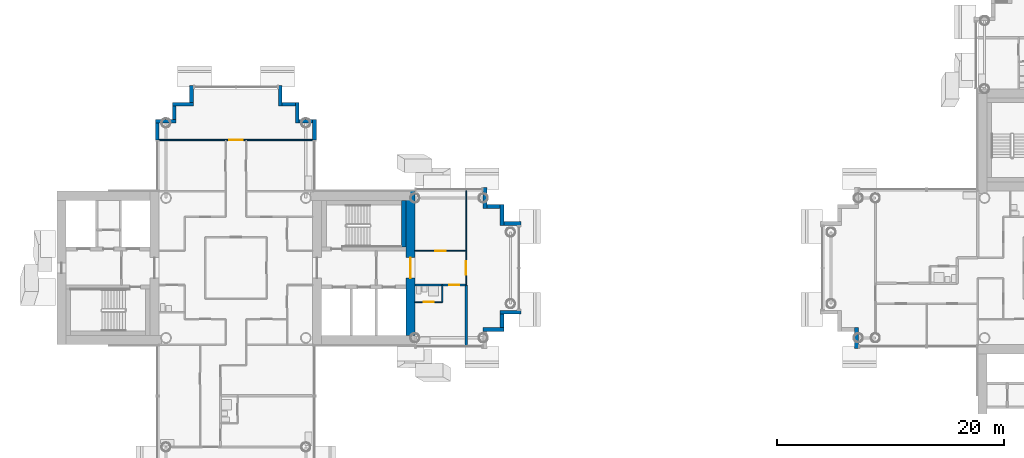
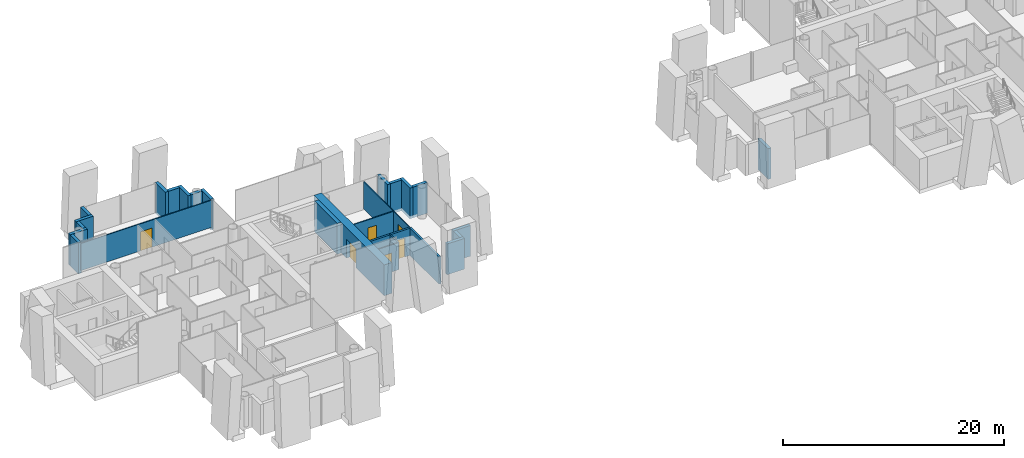
# One storey, part 8 of 18: 27 walls, 6 doors, 6 openings.
"""IFC4 building model written with IfcOpenShell, lengths in metres."""

from ifc_helpers import new_model, si_unit, direction, frame, frame_2d, origin, place, context, subcontext, project, spatial, rectangle, extrude, material, layer, layer_set, type_object, element, fill, save


model = new_model("IFC4")

# Units and contexts
model_context = context("Model", 3, precision=1e-05, world=origin(), true_north=direction((0.0, 1.0)))
body_context = subcontext(model_context, "Body", "Model", "MODEL_VIEW")
ifc_project = project(units=[si_unit("LENGTHUNIT", "METRE"), si_unit("AREAUNIT", "SQUARE_METRE"), si_unit("VOLUMEUNIT", "CUBIC_METRE"), si_unit("PLANEANGLEUNIT", "RADIAN"), si_unit("MASSUNIT", "GRAM", prefix="KILO")], contexts=[model_context])

# Site, building, storey
site_placement = place(None, origin())
site = spatial("IfcSite", under=ifc_project, at=site_placement, CompositionType="ELEMENT")
building_placement = place(site_placement, origin())
building = spatial("IfcBuilding", under=site, at=building_placement, Name="Ipe Terrace Towers", CompositionType="ELEMENT")
storey_placement = place(building_placement, frame((0.0, 0.0, 143.89990234375)))
storey = spatial("IfcBuildingStorey", under=building, at=storey_placement, Name="L39", CompositionType="ELEMENT", Elevation=143.89990234375)

# Walls
ifc_material_1 = material(Name="Concrete C40/50 with buff precast cladding", Category="concrete")
ifc_layer_1 = layer(ifc_material_1, 0.320068359375)
ifc_layer_set_1 = layer_set([ifc_layer_1], Name="BUFF CLADDING WALL 320")
wall_type_1 = type_object("IfcWallType", Name="BUFF CLADDING WALL 320", PredefinedType="STANDARD", material=ifc_layer_set_1)
wall_1_placement = place(storey_placement, frame((-14.25, -5.409912109375, -0.2998046875), z_axis=(0.0, 0.0, 1.0), x_axis=(1.0, 0.0, 0.0)))
element("IfcWall", 1, at=wall_1_placement, inside=storey, type_object=wall_type_1, Name="T1-W-L39-18a wall", PredefinedType="STANDARD", context=body_context, shape_type="SweptSolid", body=[
    extrude(rectangle(XDim=1.820068359375, YDim=0.320068359375, at=frame_2d((0.91015625, 0.0))), origin(), (0.0, 0.0, 1.0), 3.39990234375),
])
wall_2_placement = place(storey_placement, frame((-12.590087890625, -5.25, -0.2998046875), z_axis=(0.0, 0.0, 1.0), x_axis=(0.0, 1.0, 0.0)))
element("IfcWall", 2, at=wall_2_placement, inside=storey, type_object=wall_type_1, Name="T1-W-L39-19a wall", PredefinedType="STANDARD", context=body_context, shape_type="SweptSolid", body=[
    extrude(rectangle(XDim=1.179931640625, YDim=0.320068359375, at=frame_2d((0.58984375, 0.0))), origin(), (0.0, 0.0, 1.0), 3.39990234375),
])
wall_3_placement = place(storey_placement, frame((-12.75, -3.909912109375, -0.2998046875), z_axis=(0.0, 0.0, 1.0), x_axis=(1.0, 0.0, 0.0)))
element("IfcWall", 3, at=wall_3_placement, inside=storey, type_object=wall_type_1, Name="T1-W-L39-20a wall", PredefinedType="STANDARD", context=body_context, shape_type="SweptSolid", body=[
    extrude(rectangle(XDim=1.820068359375, YDim=0.320068359375, at=frame_2d((0.91015625, 0.0))), origin(), (0.0, 0.0, 1.0), 3.39990234375),
])
wall_4_placement = place(storey_placement, frame((-10.929931640625, 3.909912109375, -0.2998046875), z_axis=(0.0, 0.0, 1.0), x_axis=(-1.0, 0.0, 0.0)))
element("IfcWall", 4, at=wall_4_placement, inside=storey, type_object=wall_type_1, Name="T1-W-L39-22a wall", PredefinedType="STANDARD", context=body_context, shape_type="SweptSolid", body=[
    extrude(rectangle(XDim=1.5, YDim=0.320068359375, at=frame_2d((0.75, 0.0))), origin(), (0.0, 0.0, 1.0), 3.39990234375),
])
wall_5_placement = place(storey_placement, frame((-12.590087890625, 3.75, -0.2998046875), z_axis=(0.0, 0.0, 1.0), x_axis=(0.0, 1.0, 0.0)))
element("IfcWall", 5, at=wall_5_placement, inside=storey, type_object=wall_type_1, Name="T1-W-L39-23a wall", PredefinedType="STANDARD", context=body_context, shape_type="SweptSolid", body=[
    extrude(rectangle(XDim=1.820068359375, YDim=0.320068359375, at=frame_2d((0.91015625, 0.0))), origin(), (0.0, 0.0, 1.0), 3.39990234375),
])
wall_6_placement = place(storey_placement, frame((-12.75, 5.409912109375, -0.2998046875), z_axis=(0.0, 0.0, 1.0), x_axis=(-1.0, 0.0, 0.0)))
element("IfcWall", 6, at=wall_6_placement, inside=storey, type_object=wall_type_1, Name="T1-W-L39-24a wall", PredefinedType="STANDARD", context=body_context, shape_type="SweptSolid", body=[
    extrude(rectangle(XDim=1.179931640625, YDim=0.320068359375, at=frame_2d((0.58984375, 0.0))), origin(), (0.0, 0.0, 1.0), 3.39990234375),
])
for number, where, z_axis, x_axis, name in (
    (7, (-14.090087890625, 5.25, -0.2998046875), (0.0, 0.0, 1.0), (0.0, 1.0, 0.0), "T1-W-L39-25a wall"),
    (8, (-29.090087890625, 11.25, -0.2998046875), (0.0, 0.0, 1.0), (0.0, 1.0, 0.0), "T1-W-L39-29a wall"),
):
    element("IfcWall", number, at=place(storey_placement, frame(where, z_axis=z_axis, x_axis=x_axis)), inside=storey, type_object=wall_type_1, Name=name, PredefinedType="STANDARD", context=body_context, shape_type="SweptSolid", body=[
        extrude(rectangle(XDim=1.820068359375, YDim=0.320068359375, at=frame_2d((0.91015625, 0.0))), origin(), (0.0, 0.0, 1.0), 3.39990234375),
    ])
wall_7_placement = place(storey_placement, frame((-29.25, 12.909912109375, -0.2998046875), z_axis=(0.0, 0.0, 1.0), x_axis=(-1.0, 0.0, 0.0)))
element("IfcWall", 9, at=wall_7_placement, inside=storey, type_object=wall_type_1, Name="T1-W-L39-30a wall", PredefinedType="STANDARD", context=body_context, shape_type="SweptSolid", body=[
    extrude(rectangle(XDim=1.179931640625, YDim=0.320068359375, at=frame_2d((0.58984375, 0.0))), origin(), (0.0, 0.0, 1.0), 3.39990234375),
])
wall_8_placement = place(storey_placement, frame((-30.590087890625, 12.75, -0.2998046875), z_axis=(0.0, 0.0, 1.0), x_axis=(0.0, 1.0, 0.0)))
element("IfcWall", 10, at=wall_8_placement, inside=storey, type_object=wall_type_1, Name="T1-W-L39-31a wall", PredefinedType="STANDARD", context=body_context, shape_type="SweptSolid", body=[
    extrude(rectangle(XDim=1.820068359375, YDim=0.320068359375, at=frame_2d((0.91015625, 0.0))), origin(), (0.0, 0.0, 1.0), 3.39990234375),
])
wall_9_placement = place(storey_placement, frame((-30.75, 14.409912109375, -0.2998046875), z_axis=(0.0, 0.0, 1.0), x_axis=(-1.0, 0.0, 0.0)))
element("IfcWall", 11, at=wall_9_placement, inside=storey, type_object=wall_type_1, Name="T1-W-L39-32a wall", PredefinedType="STANDARD", context=body_context, shape_type="SweptSolid", body=[
    extrude(rectangle(XDim=1.179931640625, YDim=0.320068359375, at=frame_2d((0.58984375, 0.0))), origin(), (0.0, 0.0, 1.0), 3.39990234375),
])
wall_10_placement = place(storey_placement, frame((-32.090087890625, 14.25, -0.2998046875), z_axis=(0.0, 0.0, 1.0), x_axis=(0.0, 1.0, 0.0)))
element("IfcWall", 12, at=wall_10_placement, inside=storey, type_object=wall_type_1, Name="T1-W-L39-33a wall", PredefinedType="STANDARD", context=body_context, shape_type="SweptSolid", body=[
    extrude(rectangle(XDim=1.820068359375, YDim=0.320068359375, at=frame_2d((0.91015625, 0.0))), origin(), (0.0, 0.0, 1.0), 3.39990234375),
])
wall_11_placement = place(storey_placement, frame((-39.909912109375, 16.070068359375, -0.2998046875), z_axis=(0.0, 0.0, 1.0), x_axis=(0.0, -1.0, 0.0)))
element("IfcWall", 13, at=wall_11_placement, inside=storey, type_object=wall_type_1, Name="T1-W-L39-35a wall", PredefinedType="STANDARD", context=body_context, shape_type="SweptSolid", body=[
    extrude(rectangle(XDim=1.5, YDim=0.320068359375, at=frame_2d((0.75, 0.0))), origin(), (0.0, 0.0, 1.0), 3.39990234375),
])
wall_12_placement = place(storey_placement, frame((-39.75, 14.409912109375, -0.2998046875), z_axis=(0.0, 0.0, 1.0), x_axis=(-1.0, 0.0, 0.0)))
element("IfcWall", 14, at=wall_12_placement, inside=storey, type_object=wall_type_1, Name="T1-W-L39-36a wall", PredefinedType="STANDARD", context=body_context, shape_type="SweptSolid", body=[
    extrude(rectangle(XDim=1.820068359375, YDim=0.320068359375, at=frame_2d((0.91015625, 0.0))), origin(), (0.0, 0.0, 1.0), 3.39990234375),
])
wall_13_placement = place(storey_placement, frame((-41.409912109375, 14.25, -0.2998046875), z_axis=(0.0, 0.0, 1.0), x_axis=(0.0, -1.0, 0.0)))
element("IfcWall", 15, at=wall_13_placement, inside=storey, type_object=wall_type_1, Name="T1-W-L39-37a wall", PredefinedType="STANDARD", context=body_context, shape_type="SweptSolid", body=[
    extrude(rectangle(XDim=1.179931640625, YDim=0.320068359375, at=frame_2d((0.58984375, 0.0))), origin(), (0.0, 0.0, 1.0), 3.39990234375),
])
wall_14_placement = place(storey_placement, frame((-41.25, 12.909912109375, -0.2998046875), z_axis=(0.0, 0.0, 1.0), x_axis=(-1.0, 0.0, 0.0)))
element("IfcWall", 16, at=wall_14_placement, inside=storey, type_object=wall_type_1, Name="T1-W-L39-38a wall", PredefinedType="STANDARD", context=body_context, shape_type="SweptSolid", body=[
    extrude(rectangle(XDim=1.820068359375, YDim=0.320068359375, at=frame_2d((0.91015625, 0.0))), origin(), (0.0, 0.0, 1.0), 3.39990234375),
])
wall_15_placement = place(storey_placement, frame((-42.909912109375, 12.75, -0.2998046875), z_axis=(0.0, 0.0, 1.0), x_axis=(0.0, -1.0, 0.0)))
element("IfcWall", 17, at=wall_15_placement, inside=storey, type_object=wall_type_1, Name="T1-W-L39-39a wall", PredefinedType="STANDARD", context=body_context, shape_type="SweptSolid", body=[
    extrude(rectangle(XDim=1.5, YDim=0.320068359375, at=frame_2d((0.75, 0.0))), origin(), (0.0, 0.0, 1.0), 3.39990234375),
])
wall_16_placement = place(storey_placement, frame((18.590087890625, -5.25, -0.2998046875), z_axis=(0.0, 0.0, 1.0), x_axis=(0.0, -1.0, 0.0)))
element("IfcWall", 18, at=wall_16_placement, inside=storey, type_object=wall_type_1, Name="T2-W-L39-38a wall", PredefinedType="STANDARD", context=body_context, shape_type="SweptSolid", body=[
    extrude(rectangle(XDim=1.820068359375, YDim=0.320068359375, at=frame_2d((0.91015625, 0.0))), origin(), (0.0, 0.0, 1.0), 3.39990234375),
])
ifc_material_2 = material(Name="Gypsum board partition", Category="plasterboard")
ifc_layer_2 = layer(ifc_material_2, 0.10009765625)
ifc_layer_set_2 = layer_set([ifc_layer_2], Name="Gypsum board partition 100 mm")
wall_type_2 = type_object("IfcWallType", Name="Gypsum board partition 100 mm", PredefinedType="PARTITIONING", material=ifc_layer_set_2)
wall_17_placement = place(storey_placement, frame((-17.85009765625, -3.0, 0.0), z_axis=(0.0, 0.0, 1.0), x_axis=(0.0, 1.0, 0.0)))
element("IfcWall", 19, at=wall_17_placement, inside=storey, type_object=wall_type_2, Name="Gypsum board partition T1 L39 W15", PredefinedType="PARTITIONING", context=body_context, shape_type="SweptSolid", body=[
    extrude(rectangle(XDim=1.5, YDim=0.10009765625, at=frame_2d((0.75, 0.0))), origin(), (0.0, 0.0, 1.0), 3.0),
])

# Wall, opening, door
wall_18_placement = place(storey_placement, frame((-15.75, -1.5, 0.0), z_axis=(0.0, 0.0, 1.0), x_axis=(0.0, 1.0, 0.0)))
wall_18 = element("IfcWall", 20, at=wall_18_placement, inside=storey, type_object=wall_type_2, Name="Gypsum board partition T1 L39 W16", PredefinedType="PARTITIONING", context=body_context, shape_type="SweptSolid", body=[
    extrude(rectangle(XDim=8.35009765625, YDim=0.10009765625, at=frame_2d((4.175048828125, 0.0))), origin(), (0.0, 0.0, 1.0), 3.0),
])
opening_1_placement = place(wall_18_placement, frame((0.89990234375, 0.0, 0.0)))
opening_1 = element("IfcOpeningElement", 21, at=opening_1_placement, cuts=wall_18, Name="Opening T1-Z3B-21", PredefinedType="OPENING", context=body_context, shape_type="SweptSolid", body=[
    extrude(rectangle(XDim=1.199951171875, YDim=2.10009765625, at=frame_2d((0.60009765625, 1.050048828125))), frame((0.0, 0.06005859375, 0.0), z_axis=(0.0, -1.0, 0.0), x_axis=(1.0, 0.0, 0.0)), (0.0, 0.0, 1.0), 0.1201171875),
])
ifc_material_3 = material(Name="Timber door leaf", Category="wood")
door_type_1 = type_object("IfcDoorType", Name="Lounge door 1200 x 2100", OperationType="NOTDEFINED", PredefinedType="DOOR", material=ifc_material_3)
door_1_placement = place(opening_1_placement, origin())
door_1 = element("IfcDoor", 22, at=door_1_placement, inside=storey, type_object=door_type_1, Name="Lounge door T1-Z3B-21", OperationType="SINGLE_SWING_LEFT", OverallHeight=2.10009765625, OverallWidth=1.199951171875, PredefinedType="DOOR", context=body_context, shape_type="SweptSolid", body=[
    extrude(rectangle(XDim=1.199951171875, YDim=2.10009765625, at=frame_2d((0.60009765625, 1.050048828125))), frame((0.0, 0.02490234375, 0.0), z_axis=(0.0, -1.0, 0.0), x_axis=(1.0, 0.0, 0.0)), (0.0, 0.0, 1.0), 0.050048828125),
])
fill(opening_1, door_1)

wall_19_placement = place(storey_placement, frame((-20.25, -3.0, 0.0), z_axis=(0.0, 0.0, 1.0), x_axis=(1.0, 0.0, 0.0)))
wall_19 = element("IfcWall", 23, at=wall_19_placement, inside=storey, type_object=wall_type_2, Name="Gypsum board partition T1 L39 W28", PredefinedType="PARTITIONING", context=body_context, shape_type="SweptSolid", body=[
    extrude(rectangle(XDim=2.39990234375, YDim=0.10009765625, at=frame_2d((1.199951171875, 0.0))), origin(), (0.0, 0.0, 1.0), 3.0),
])
opening_2_placement = place(wall_19_placement, frame((0.75, 0.0, 0.0)))
opening_2 = element("IfcOpeningElement", 24, at=opening_2_placement, cuts=wall_19, Name="Opening T1-Z3B-20", PredefinedType="OPENING", context=body_context, shape_type="SweptSolid", body=[
    extrude(rectangle(XDim=0.89990234375, YDim=2.10009765625, at=frame_2d((0.449951171875, 1.050048828125))), frame((0.0, 0.06005859375, 0.0), z_axis=(0.0, -1.0, 0.0), x_axis=(1.0, 0.0, 0.0)), (0.0, 0.0, 1.0), 0.1201171875),
])
ifc_material_4 = material(Name="Timber door leaf", Category="wood")
door_type_2 = type_object("IfcDoorType", Name="Bathroom door 900 x 2100", OperationType="NOTDEFINED", PredefinedType="DOOR", material=ifc_material_4)
door_2_placement = place(opening_2_placement, origin())
door_2 = element("IfcDoor", 25, at=door_2_placement, inside=storey, type_object=door_type_2, Name="Bathroom door T1-Z3B-20", OperationType="SINGLE_SWING_LEFT", OverallHeight=2.10009765625, OverallWidth=0.89990234375, PredefinedType="DOOR", context=body_context, shape_type="SweptSolid", body=[
    extrude(rectangle(XDim=0.89990234375, YDim=2.10009765625, at=frame_2d((0.449951171875, 1.050048828125))), frame((0.0, 0.02490234375, 0.0), z_axis=(0.0, -1.0, 0.0), x_axis=(1.0, 0.0, 0.0)), (0.0, 0.0, 1.0), 0.050048828125),
])
fill(opening_2, door_2)

wall_20_placement = place(storey_placement, frame((-20.25, 1.5, 0.0), z_axis=(0.0, 0.0, 1.0), x_axis=(1.0, 0.0, 0.0)))
wall_20 = element("IfcWall", 26, at=wall_20_placement, inside=storey, type_object=wall_type_2, Name="Gypsum board partition T1 L39 W35", PredefinedType="PARTITIONING", context=body_context, shape_type="SweptSolid", body=[
    extrude(rectangle(XDim=4.5, YDim=0.10009765625, at=frame_2d((2.25, 0.0))), origin(), (0.0, 0.0, 1.0), 3.0),
])
opening_3_placement = place(wall_20_placement, frame((1.800048828125, 0.0, 0.0)))
opening_3 = element("IfcOpeningElement", 27, at=opening_3_placement, cuts=wall_20, Name="Opening T1-Z3B-18", PredefinedType="OPENING", context=body_context, shape_type="SweptSolid", body=[
    extrude(rectangle(XDim=0.89990234375, YDim=2.10009765625, at=frame_2d((0.449951171875, 1.050048828125))), frame((0.0, 0.06005859375, 0.0), z_axis=(0.0, -1.0, 0.0), x_axis=(1.0, 0.0, 0.0)), (0.0, 0.0, 1.0), 0.1201171875),
])
ifc_material_5 = material(Name="Timber door leaf", Category="wood")
door_type_3 = type_object("IfcDoorType", Name="Lounge door 900 x 2100", OperationType="NOTDEFINED", PredefinedType="DOOR", material=ifc_material_5)
door_3_placement = place(opening_3_placement, origin())
door_3 = element("IfcDoor", 28, at=door_3_placement, inside=storey, type_object=door_type_3, Name="Lounge door T1-Z3B-18", OperationType="SINGLE_SWING_LEFT", OverallHeight=2.10009765625, OverallWidth=0.89990234375, PredefinedType="DOOR", context=body_context, shape_type="SweptSolid", body=[
    extrude(rectangle(XDim=0.89990234375, YDim=2.10009765625, at=frame_2d((0.449951171875, 1.050048828125))), frame((0.0, 0.02490234375, 0.0), z_axis=(0.0, -1.0, 0.0), x_axis=(1.0, 0.0, 0.0)), (0.0, 0.0, 1.0), 0.050048828125),
])
fill(opening_3, door_3)

wall_21_placement = place(storey_placement, frame((-42.85009765625, 11.25, 0.0), z_axis=(0.0, 0.0, 1.0), x_axis=(1.0, 0.0, 0.0)))
wall_21 = element("IfcWall", 29, at=wall_21_placement, inside=storey, type_object=wall_type_2, Name="Gypsum board partition T1 L39 W41", PredefinedType="PARTITIONING", context=body_context, shape_type="SweptSolid", body=[
    extrude(rectangle(XDim=13.7001953125, YDim=0.10009765625, at=frame_2d((6.85009765625, 0.0))), origin(), (0.0, 0.0, 1.0), 3.0),
])
opening_4_placement = place(wall_21_placement, frame((6.25, 0.0, 0.0)))
opening_4 = element("IfcOpeningElement", 30, at=opening_4_placement, cuts=wall_21, Name="Opening T1-Z3B-12", PredefinedType="OPENING", context=body_context, shape_type="SweptSolid", body=[
    extrude(rectangle(XDim=1.199951171875, YDim=2.10009765625, at=frame_2d((0.60009765625, 1.050048828125))), frame((0.0, 0.06005859375, 0.0), z_axis=(0.0, -1.0, 0.0), x_axis=(1.0, 0.0, 0.0)), (0.0, 0.0, 1.0), 0.1201171875),
])
door_4_placement = place(opening_4_placement, origin())
door_4 = element("IfcDoor", 31, at=door_4_placement, inside=storey, type_object=door_type_1, Name="Lounge door T1-Z3B-12", OperationType="SINGLE_SWING_LEFT", OverallHeight=2.10009765625, OverallWidth=1.199951171875, PredefinedType="DOOR", context=body_context, shape_type="SweptSolid", body=[
    extrude(rectangle(XDim=1.199951171875, YDim=2.10009765625, at=frame_2d((0.60009765625, 1.050048828125))), frame((0.0, 0.02490234375, 0.0), z_axis=(0.0, -1.0, 0.0), x_axis=(1.0, 0.0, 0.0)), (0.0, 0.0, 1.0), 0.050048828125),
])
fill(opening_4, door_4)

# Wall
ifc_material_6 = material(Name="Gypsum board party wall", Category="plasterboard")
ifc_layer_3 = layer(ifc_material_6, 0.199951171875)
ifc_layer_set_3 = layer_set([ifc_layer_3], Name="Gypsum board party wall 200 mm")
wall_type_3 = type_object("IfcWallType", Name="Gypsum board party wall 200 mm", PredefinedType="SOLIDWALL", material=ifc_layer_set_3)
wall_22_placement = place(storey_placement, frame((-15.75, -6.85009765625, 0.0), z_axis=(0.0, 0.0, 1.0), x_axis=(0.0, 1.0, 0.0)))
element("IfcWall", 32, at=wall_22_placement, inside=storey, type_object=wall_type_3, Name="Gypsum board party wall T1 L39 W17", PredefinedType="SOLIDWALL", context=body_context, shape_type="SweptSolid", body=[
    extrude(rectangle(XDim=5.35009765625, YDim=0.199951171875, at=frame_2d((2.675048828125, 0.0))), origin(), (0.0, 0.0, 1.0), 3.0),
])

# Wall, opening, door
wall_23_placement = place(storey_placement, frame((-20.25, -1.5, 0.0), z_axis=(0.0, 0.0, 1.0), x_axis=(1.0, 0.0, 0.0)))
wall_23 = element("IfcWall", 33, at=wall_23_placement, inside=storey, type_object=wall_type_3, Name="Gypsum board party wall T1 L39 W32", PredefinedType="SOLIDWALL", context=body_context, shape_type="SweptSolid", body=[
    extrude(rectangle(XDim=4.5, YDim=0.199951171875, at=frame_2d((2.25, 0.0))), origin(), (0.0, 0.0, 1.0), 3.0),
])
opening_5_placement = place(wall_23_placement, frame((3.0, 0.0, 0.0)))
opening_5 = element("IfcOpeningElement", 34, at=opening_5_placement, cuts=wall_23, Name="Opening T1-Z3B-19", PredefinedType="OPENING", context=body_context, shape_type="SweptSolid", body=[
    extrude(rectangle(XDim=0.89990234375, YDim=2.10009765625, at=frame_2d((0.449951171875, 1.050048828125))), frame((0.0, 0.10986328125, 0.0), z_axis=(0.0, -1.0, 0.0), x_axis=(1.0, 0.0, 0.0)), (0.0, 0.0, 1.0), 0.219970703125),
])
ifc_material_7 = material(Name="Fire-rated timber door leaf", Category="wood")
door_type_4 = type_object("IfcDoorType", Name="Flat entrance door 900 x 2100 FD30S", OperationType="NOTDEFINED", PredefinedType="DOOR", material=ifc_material_7)
door_5_placement = place(opening_5_placement, origin())
door_5 = element("IfcDoor", 35, at=door_5_placement, inside=storey, type_object=door_type_4, Name="Flat entrance door T1-Z3B-19", OperationType="SINGLE_SWING_RIGHT", OverallHeight=2.10009765625, OverallWidth=0.89990234375, PredefinedType="DOOR", context=body_context, shape_type="SweptSolid", body=[
    extrude(rectangle(XDim=0.89990234375, YDim=2.10009765625, at=frame_2d((0.449951171875, 1.050048828125))), frame((0.0, 0.02490234375, 0.0), z_axis=(0.0, -1.0, 0.0), x_axis=(1.0, 0.0, 0.0)), (0.0, 0.0, 1.0), 0.050048828125),
])
fill(opening_5, door_5)

# Wall
ifc_material_8 = material(Name="Concrete C50/60", Category="concrete")
ifc_layer_4 = layer(ifc_material_8, 0.39990234375)
ifc_layer_set_4 = layer_set([ifc_layer_4], Name="RW400 CORE INFILL WALL 400 C50-60")
wall_type_4 = type_object("IfcWallType", Name="RW400 CORE INFILL WALL 400 C50-60", PredefinedType="SHEAR", material=ifc_layer_set_4)
wall_24_placement = place(storey_placement, frame((-21.25, 1.85009765625, 0.0), z_axis=(0.0, 0.0, 1.0), x_axis=(0.0, 1.0, 0.0)))
element("IfcWall", 36, at=wall_24_placement, inside=storey, type_object=wall_type_4, Name="Core infill wall T1-C1-far", PredefinedType="SHEAR", context=body_context, shape_type="SweptSolid", body=[
    extrude(rectangle(XDim=4.099853515625, YDim=0.39990234375, at=frame_2d((2.0498046875, 0.0))), origin(), (0.0, 0.0, 1.0), 3.400146484375),
])

# Wall, opening, door
ifc_material_9 = material(Name="Concrete C50/60", Category="concrete")
ifc_layer_5 = layer(ifc_material_9, 0.800048828125)
ifc_layer_set_5 = layer_set([ifc_layer_5], Name="RW800 CORE WALL 800 C50-60")
wall_type_5 = type_object("IfcWallType", Name="RW800 CORE WALL 800 C50-60", PredefinedType="SHEAR", material=ifc_layer_set_5)
wall_25_placement = place(storey_placement, frame((-20.64990234375, -5.949951171875, 0.0), z_axis=(0.0, 0.0, 1.0), x_axis=(0.0, 1.0, 0.0)))
wall_25 = element("IfcWall", 37, at=wall_25_placement, inside=storey, type_object=wall_type_5, Name="Core wall T1-C1-Z3-W02", PredefinedType="SHEAR", context=body_context, shape_type="SweptSolid", body=[
    extrude(rectangle(XDim=12.699951171875, YDim=0.800048828125, at=frame_2d((6.35009765625, 0.0))), origin(), (0.0, 0.0, 1.0), 3.400146484375),
])
opening_6_placement = place(wall_25_placement, frame((5.050048828125, 0.0, 0.0)))
opening_6 = element("IfcOpeningElement", 38, at=opening_6_placement, cuts=wall_25, Name="Opening T1C1-FD", PredefinedType="OPENING", context=body_context, shape_type="SweptSolid", body=[
    extrude(rectangle(XDim=1.800048828125, YDim=2.10009765625, at=frame_2d((0.89990234375, 1.050048828125))), frame((0.0, 0.41015625, 0.0), z_axis=(0.0, -1.0, 0.0), x_axis=(1.0, 0.0, 0.0)), (0.0, 0.0, 1.0), 0.820068359375),
])
ifc_material_10 = material(Name="Fire-rated timber door leaf", Category="wood")
door_type_5 = type_object("IfcDoorType", Name="Fire door 1800 x 2100 FD30S", OperationType="NOTDEFINED", PredefinedType="DOOR", material=ifc_material_10)
door_6_placement = place(opening_6_placement, origin())
door_6 = element("IfcDoor", 39, at=door_6_placement, inside=storey, type_object=door_type_5, Name="Fire door T1C1-FD", OperationType="SINGLE_SWING_LEFT", OverallHeight=2.10009765625, OverallWidth=1.800048828125, PredefinedType="DOOR", context=body_context, shape_type="SweptSolid", body=[
    extrude(rectangle(XDim=1.800048828125, YDim=2.10009765625, at=frame_2d((0.89990234375, 1.050048828125))), frame((0.0, 0.02490234375, 0.0), z_axis=(0.0, -1.0, 0.0), x_axis=(1.0, 0.0, 0.0)), (0.0, 0.0, 1.0), 0.050048828125),
])
fill(opening_6, door_6)

save(model, "model.ifc")
